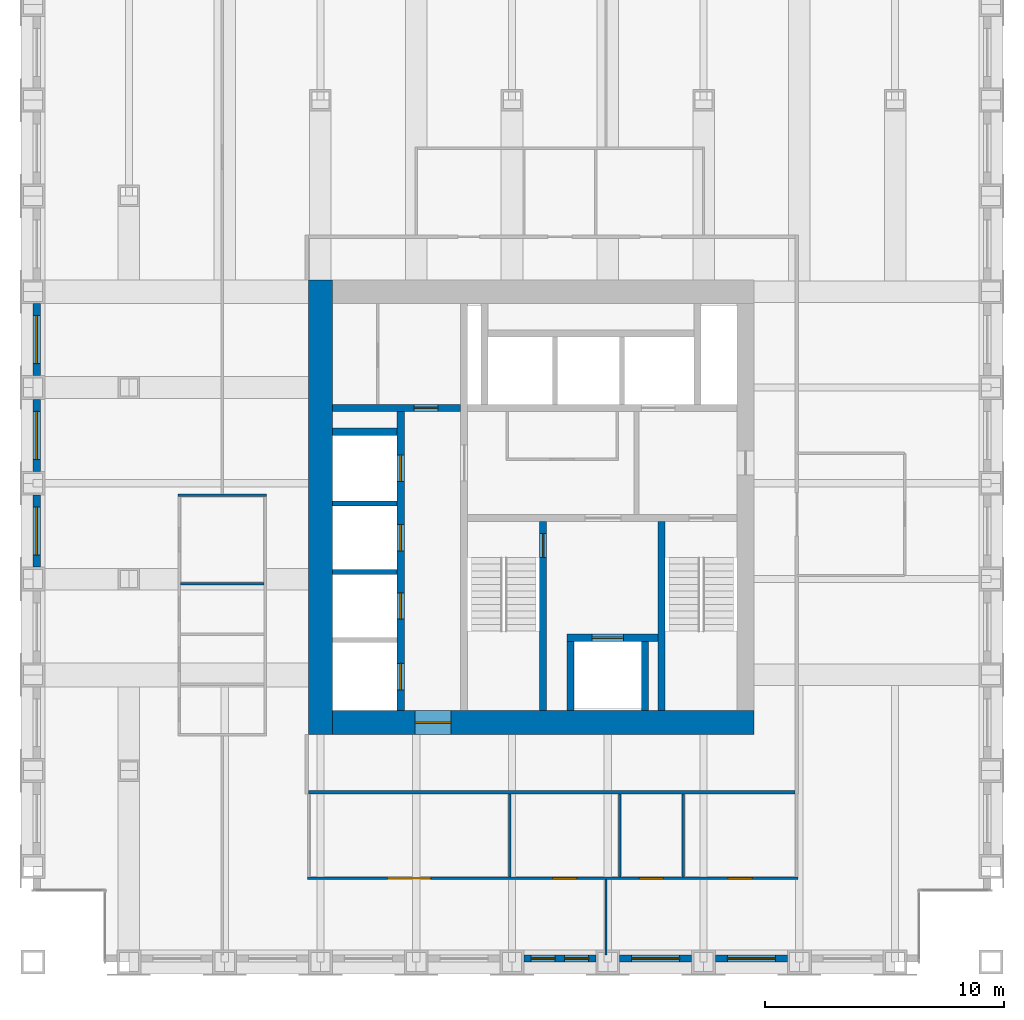
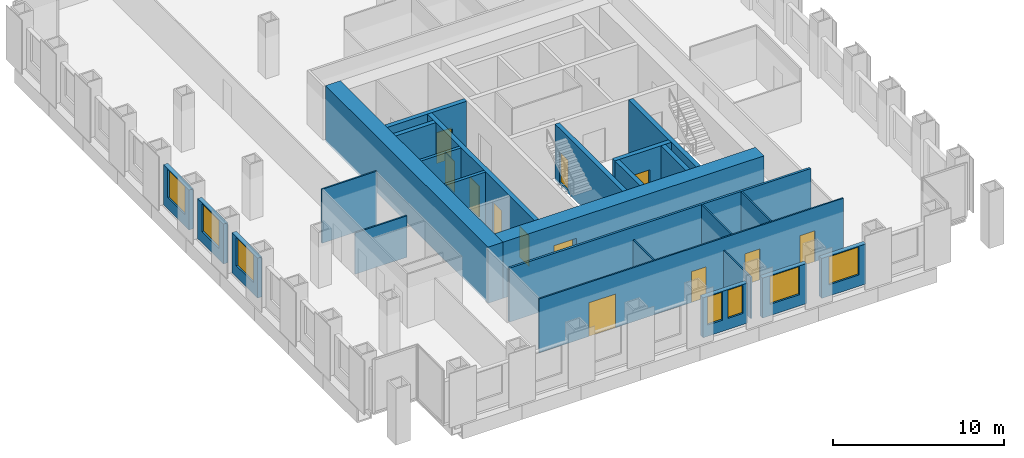
# One storey, part 9 of 13: 26 walls, 12 doors, 7 windows, 19 openings.
"""IFC4 building model written with IfcOpenShell, lengths in metres."""

from ifc_helpers import new_model, si_unit, direction, frame, frame_2d, origin, place, context, subcontext, project, spatial, rectangle, extrude, material, layer, layer_set, type_object, element, fill, save


model = new_model("IFC4")

# Units and contexts
model_context = context("Model", 3, precision=1e-05, world=origin(), true_north=direction((0.0, 1.0)))
body_context = subcontext(model_context, "Body", "Model", "MODEL_VIEW")
ifc_project = project(units=[si_unit("LENGTHUNIT", "METRE"), si_unit("AREAUNIT", "SQUARE_METRE"), si_unit("VOLUMEUNIT", "CUBIC_METRE"), si_unit("PLANEANGLEUNIT", "RADIAN"), si_unit("MASSUNIT", "GRAM", prefix="KILO")], contexts=[model_context])

# Site, building, storey
site_placement = place(None, origin())
site = spatial("IfcSite", under=ifc_project, at=site_placement, CompositionType="ELEMENT")
building_placement = place(site_placement, origin())
building = spatial("IfcBuilding", under=site, at=building_placement, Name="Rimbunsela Tower", CompositionType="ELEMENT")
storey_placement = place(building_placement, frame((0.0, 0.0, 191.800048828125)))
storey = spatial("IfcBuildingStorey", under=building, at=storey_placement, Name="L46", CompositionType="ELEMENT", Elevation=191.800048828125)

# Wall, opening, door
ifc_material_1 = material(Name="Concrete fc' 80 MPa", Category="concrete")
ifc_layer_1 = layer(ifc_material_1, 0.300048828125)
ifc_layer_set_1 = layer_set([ifc_layer_1], Name="Core internal wall 300")
wall_type_1 = type_object("IfcWallType", Name="Core internal wall 300", PredefinedType="SHEAR", material=ifc_layer_set_1)
wall_1_placement = place(storey_placement, frame((27.300048828125, 18.5, -0.150146484375), z_axis=(0.0, 0.0, 1.0), x_axis=(0.0, 1.0, 0.0)))
wall_1 = element("IfcWall", 1, at=wall_1_placement, inside=storey, type_object=wall_type_1, Name="Stair A enclosure", PredefinedType="SHEAR", context=body_context, shape_type="SweptSolid", body=[
    extrude(rectangle(XDim=7.89990234375, YDim=0.300048828125, at=frame_2d((3.949951171875, 0.0))), origin(), (0.0, 0.0, 1.0), 4.0),
])
opening_1_placement = place(wall_1_placement, frame((6.39990234375, 0.0, 0.14990234375)))
opening_1 = element("IfcOpeningElement", 2, at=opening_1_placement, cuts=wall_1, Name="Opening D01", PredefinedType="OPENING", context=body_context, shape_type="SweptSolid", body=[
    extrude(rectangle(XDim=1.0, YDim=2.199951171875, at=frame_2d((0.5, 1.10009765625))), frame((0.0, 0.159912109375, 0.0), z_axis=(0.0, -1.0, 0.0), x_axis=(1.0, 0.0, 0.0)), (0.0, 0.0, 1.0), 0.320068359375),
])
ifc_material_2 = material(Name="Steel door, fire rated", Category="steel")
door_type_1 = type_object("IfcDoorType", Name="Stair door 1000", OperationType="SINGLE_SWING_RIGHT", PredefinedType="DOOR", material=ifc_material_2)
door_1_placement = place(opening_1_placement, origin())
door_1 = element("IfcDoor", 3, at=door_1_placement, inside=storey, type_object=door_type_1, Name="Stair A door", OperationType="SINGLE_SWING_RIGHT", OverallHeight=2.199951171875, OverallWidth=1.0, PredefinedType="DOOR", context=body_context, shape_type="SweptSolid", body=[
    extrude(rectangle(XDim=1.0, YDim=2.199951171875, at=frame_2d((0.5, 1.10009765625))), frame((0.0, 0.02490234375, 0.0), z_axis=(0.0, -1.0, 0.0), x_axis=(1.0, 0.0, 0.0)), (0.0, 0.0, 1.0), 0.050048828125),
])
fill(opening_1, door_1)

# Walls
wall_2_placement = place(storey_placement, frame((32.25, 18.5, -0.150146484375), z_axis=(0.0, 0.0, 1.0), x_axis=(0.0, 1.0, 0.0)))
element("IfcWall", 4, at=wall_2_placement, inside=storey, type_object=wall_type_1, Name="Stair B enclosure", PredefinedType="SHEAR", context=body_context, shape_type="SweptSolid", body=[
    extrude(rectangle(XDim=7.89990234375, YDim=0.300048828125, at=frame_2d((3.949951171875, 0.0))), origin(), (0.0, 0.0, 1.0), 4.0),
])
for number, where, z_axis, x_axis, name in (
    (5, (28.449951171875, 18.5, -0.150146484375), (0.0, 0.0, 1.0), (0.0, 1.0, 0.0), "Firefighting lift shaft west"),
    (6, (31.550048828125, 18.5, -0.150146484375), (0.0, 0.0, 1.0), (0.0, 1.0, 0.0), "Firefighting lift shaft east"),
):
    element("IfcWall", number, at=place(storey_placement, frame(where, z_axis=z_axis, x_axis=x_axis)), inside=storey, type_object=wall_type_1, Name=name, PredefinedType="SHEAR", context=body_context, shape_type="SweptSolid", body=[
        extrude(rectangle(XDim=2.89990234375, YDim=0.300048828125, at=frame_2d((1.449951171875, 0.0))), origin(), (0.0, 0.0, 1.0), 4.0),
    ])

# Wall, opening, door
wall_3_placement = place(storey_placement, frame((28.300048828125, 21.550048828125, -0.150146484375), z_axis=(0.0, 0.0, 1.0), x_axis=(1.0, 0.0, 0.0)))
wall_3 = element("IfcWall", 7, at=wall_3_placement, inside=storey, type_object=wall_type_1, Name="Firefighting lift shaft front", PredefinedType="SHEAR", context=body_context, shape_type="SweptSolid", body=[
    extrude(rectangle(XDim=3.800048828125, YDim=0.300048828125, at=frame_2d((1.89990234375, 0.0))), origin(), (0.0, 0.0, 1.0), 4.0),
])
opening_2_placement = place(wall_3_placement, frame((1.050048828125, 0.0, 0.14990234375)))
opening_2 = element("IfcOpeningElement", 8, at=opening_2_placement, cuts=wall_3, Name="Opening LD2", PredefinedType="OPENING", context=body_context, shape_type="SweptSolid", body=[
    extrude(rectangle(XDim=1.300048828125, YDim=2.39990234375, at=frame_2d((0.64990234375, 1.199951171875))), frame((0.0, 0.159912109375, 0.0), z_axis=(0.0, -1.0, 0.0), x_axis=(1.0, 0.0, 0.0)), (0.0, 0.0, 1.0), 0.320068359375),
])
ifc_material_3 = material(Name="Steel door, fire rated", Category="steel")
door_type_2 = type_object("IfcDoorType", Name="Lift landing door 1300", OperationType="DOUBLE_DOOR_SLIDING", PredefinedType="DOOR", material=ifc_material_3)
door_2_placement = place(opening_2_placement, origin())
door_2 = element("IfcDoor", 9, at=door_2_placement, inside=storey, type_object=door_type_2, Name="Lift landing door FL1", OperationType="DOUBLE_DOOR_SLIDING", OverallHeight=2.39990234375, OverallWidth=1.300048828125, PredefinedType="DOOR", context=body_context, shape_type="SweptSolid", body=[
    extrude(rectangle(XDim=1.300048828125, YDim=2.39990234375, at=frame_2d((0.64990234375, 1.199951171875))), frame((0.0, 0.02490234375, 0.0), z_axis=(0.0, -1.0, 0.0), x_axis=(1.0, 0.0, 0.0)), (0.0, 0.0, 1.0), 0.050048828125),
])
fill(opening_2, door_2)

# Wall, openings, doors
wall_4_placement = place(storey_placement, frame((21.35009765625, 18.5, -0.150146484375), z_axis=(0.0, 0.0, 1.0), x_axis=(0.0, 1.0, 0.0)))
wall_4 = element("IfcWall", 10, at=wall_4_placement, inside=storey, type_object=wall_type_1, Name="Lift shaft front west", PredefinedType="SHEAR", context=body_context, shape_type="SweptSolid", body=[
    extrude(rectangle(XDim=12.5, YDim=0.300048828125, at=frame_2d((6.25, 0.0))), origin(), (0.0, 0.0, 1.0), 4.0),
])
opening_3_placement = place(wall_4_placement, frame((0.875, 0.0, 0.14990234375)))
opening_3 = element("IfcOpeningElement", 11, at=opening_3_placement, cuts=wall_4, Name="Opening LD1", PredefinedType="OPENING", context=body_context, shape_type="SweptSolid", body=[
    extrude(rectangle(XDim=1.10009765625, YDim=2.199951171875, at=frame_2d((0.550048828125, 1.10009765625))), frame((0.0, 0.159912109375, 0.0), z_axis=(0.0, -1.0, 0.0), x_axis=(1.0, 0.0, 0.0)), (0.0, 0.0, 1.0), 0.320068359375),
])
opening_4_placement = place(wall_4_placement, frame((3.824951171875, 0.0, 0.14990234375)))
opening_4 = element("IfcOpeningElement", 12, at=opening_4_placement, cuts=wall_4, Name="Opening LD1", PredefinedType="OPENING", context=body_context, shape_type="SweptSolid", body=[
    extrude(rectangle(XDim=1.10009765625, YDim=2.199951171875, at=frame_2d((0.550048828125, 1.10009765625))), frame((0.0, 0.159912109375, 0.0), z_axis=(0.0, -1.0, 0.0), x_axis=(1.0, 0.0, 0.0)), (0.0, 0.0, 1.0), 0.320068359375),
])
opening_5_placement = place(wall_4_placement, frame((6.675048828125, 0.0, 0.14990234375)))
opening_5 = element("IfcOpeningElement", 13, at=opening_5_placement, cuts=wall_4, Name="Opening LD1", PredefinedType="OPENING", context=body_context, shape_type="SweptSolid", body=[
    extrude(rectangle(XDim=1.10009765625, YDim=2.199951171875, at=frame_2d((0.550048828125, 1.10009765625))), frame((0.0, 0.159912109375, 0.0), z_axis=(0.0, -1.0, 0.0), x_axis=(1.0, 0.0, 0.0)), (0.0, 0.0, 1.0), 0.320068359375),
])
opening_6_placement = place(wall_4_placement, frame((9.574951171875, 0.0, 0.14990234375)))
opening_6 = element("IfcOpeningElement", 14, at=opening_6_placement, cuts=wall_4, Name="Opening LD1", PredefinedType="OPENING", context=body_context, shape_type="SweptSolid", body=[
    extrude(rectangle(XDim=1.10009765625, YDim=2.199951171875, at=frame_2d((0.550048828125, 1.10009765625))), frame((0.0, 0.159912109375, 0.0), z_axis=(0.0, -1.0, 0.0), x_axis=(1.0, 0.0, 0.0)), (0.0, 0.0, 1.0), 0.320068359375),
])
ifc_material_4 = material(Name="Steel door, fire rated", Category="steel")
door_type_3 = type_object("IfcDoorType", Name="Lift landing door 1100", OperationType="DOUBLE_DOOR_SLIDING", PredefinedType="DOOR", material=ifc_material_4)
door_3_placement = place(opening_3_placement, origin())
door_3 = element("IfcDoor", 15, at=door_3_placement, inside=storey, type_object=door_type_3, Name="Lift landing door HL1", OperationType="DOUBLE_DOOR_SLIDING", OverallHeight=2.199951171875, OverallWidth=1.10009765625, PredefinedType="DOOR", context=body_context, shape_type="SweptSolid", body=[
    extrude(rectangle(XDim=1.10009765625, YDim=2.199951171875, at=frame_2d((0.550048828125, 1.10009765625))), frame((0.0, 0.02490234375, 0.0), z_axis=(0.0, -1.0, 0.0), x_axis=(1.0, 0.0, 0.0)), (0.0, 0.0, 1.0), 0.050048828125),
])
fill(opening_3, door_3)
door_4_placement = place(opening_4_placement, origin())
door_4 = element("IfcDoor", 16, at=door_4_placement, inside=storey, type_object=door_type_3, Name="Lift landing door HL2", OperationType="DOUBLE_DOOR_SLIDING", OverallHeight=2.199951171875, OverallWidth=1.10009765625, PredefinedType="DOOR", context=body_context, shape_type="SweptSolid", body=[
    extrude(rectangle(XDim=1.10009765625, YDim=2.199951171875, at=frame_2d((0.550048828125, 1.10009765625))), frame((0.0, 0.02490234375, 0.0), z_axis=(0.0, -1.0, 0.0), x_axis=(1.0, 0.0, 0.0)), (0.0, 0.0, 1.0), 0.050048828125),
])
fill(opening_4, door_4)
door_5_placement = place(opening_5_placement, origin())
door_5 = element("IfcDoor", 17, at=door_5_placement, inside=storey, type_object=door_type_3, Name="Lift landing door HL3", OperationType="DOUBLE_DOOR_SLIDING", OverallHeight=2.199951171875, OverallWidth=1.10009765625, PredefinedType="DOOR", context=body_context, shape_type="SweptSolid", body=[
    extrude(rectangle(XDim=1.10009765625, YDim=2.199951171875, at=frame_2d((0.550048828125, 1.10009765625))), frame((0.0, 0.02490234375, 0.0), z_axis=(0.0, -1.0, 0.0), x_axis=(1.0, 0.0, 0.0)), (0.0, 0.0, 1.0), 0.050048828125),
])
fill(opening_5, door_5)
door_6_placement = place(opening_6_placement, origin())
door_6 = element("IfcDoor", 18, at=door_6_placement, inside=storey, type_object=door_type_3, Name="Lift landing door HL4", OperationType="DOUBLE_DOOR_SLIDING", OverallHeight=2.199951171875, OverallWidth=1.10009765625, PredefinedType="DOOR", context=body_context, shape_type="SweptSolid", body=[
    extrude(rectangle(XDim=1.10009765625, YDim=2.199951171875, at=frame_2d((0.550048828125, 1.10009765625))), frame((0.0, 0.02490234375, 0.0), z_axis=(0.0, -1.0, 0.0), x_axis=(1.0, 0.0, 0.0)), (0.0, 0.0, 1.0), 0.050048828125),
])
fill(opening_6, door_6)

# Wall, opening, door
wall_5_placement = place(storey_placement, frame((18.5, 31.14990234375, -0.150146484375), z_axis=(0.0, 0.0, 1.0), x_axis=(1.0, 0.0, 0.0)))
wall_5 = element("IfcWall", 19, at=wall_5_placement, inside=storey, type_object=wall_type_1, Name="Store wall", PredefinedType="SHEAR", context=body_context, shape_type="SweptSolid", body=[
    extrude(rectangle(XDim=5.35009765625, YDim=0.300048828125, at=frame_2d((2.675048828125, 0.0))), origin(), (0.0, 0.0, 1.0), 4.0),
])
opening_7_placement = place(wall_5_placement, frame((3.39990234375, 0.0, 0.14990234375)))
opening_7 = element("IfcOpeningElement", 20, at=opening_7_placement, cuts=wall_5, Name="Opening D19", PredefinedType="OPENING", context=body_context, shape_type="SweptSolid", body=[
    extrude(rectangle(XDim=1.0, YDim=2.199951171875, at=frame_2d((0.5, 1.10009765625))), frame((0.0, 0.159912109375, 0.0), z_axis=(0.0, -1.0, 0.0), x_axis=(1.0, 0.0, 0.0)), (0.0, 0.0, 1.0), 0.320068359375),
])
ifc_material_5 = material(Name="Steel door, fire rated", Category="steel")
door_type_4 = type_object("IfcDoorType", Name="Service door 1000 fire rated", OperationType="SINGLE_SWING_LEFT", PredefinedType="DOOR", material=ifc_material_5)
door_7_placement = place(opening_7_placement, origin())
door_7 = element("IfcDoor", 21, at=door_7_placement, inside=storey, type_object=door_type_4, Name="Facilities store door", OperationType="SINGLE_SWING_LEFT", OverallHeight=2.199951171875, OverallWidth=1.0, PredefinedType="DOOR", context=body_context, shape_type="SweptSolid", body=[
    extrude(rectangle(XDim=1.0, YDim=2.199951171875, at=frame_2d((0.5, 1.10009765625))), frame((0.0, 0.02490234375, 0.0), z_axis=(0.0, -1.0, 0.0), x_axis=(1.0, 0.0, 0.0)), (0.0, 0.0, 1.0), 0.050048828125),
])
fill(opening_7, door_7)

# Walls
wall_6_placement = place(storey_placement, frame((18.5, 30.14990234375, -0.150146484375), z_axis=(0.0, 0.0, 1.0), x_axis=(1.0, 0.0, 0.0)))
element("IfcWall", 22, at=wall_6_placement, inside=storey, type_object=wall_type_1, Name="Lift shaft rear west", PredefinedType="SHEAR", context=body_context, shape_type="SweptSolid", body=[
    extrude(rectangle(XDim=2.699951171875, YDim=0.300048828125, at=frame_2d((1.35009765625, 0.0))), origin(), (0.0, 0.0, 1.0), 4.0),
])
ifc_material_6 = material(Name="Concrete fc' 80 MPa", Category="concrete")
ifc_layer_2 = layer(ifc_material_6, 1.0)
ifc_layer_set_2 = layer_set([ifc_layer_2], Name="Core wall 1000")
wall_type_2 = type_object("IfcWallType", Name="Core wall 1000", PredefinedType="SHEAR", material=ifc_layer_set_2)
wall_7_placement = place(storey_placement, frame((18.0, 17.5, -0.150146484375), z_axis=(0.0, 0.0, 1.0), x_axis=(0.0, 1.0, 0.0)))
element("IfcWall", 23, at=wall_7_placement, inside=storey, type_object=wall_type_2, Name="Core wall west", PredefinedType="SHEAR", context=body_context, shape_type="SweptSolid", body=[
    extrude(rectangle(XDim=19.0, YDim=1.0, at=frame_2d((9.5, 0.0))), origin(), (0.0, 0.0, 1.0), 4.0),
])

# Wall, opening, door
wall_8_placement = place(storey_placement, frame((18.5, 18.0, -0.150146484375), z_axis=(0.0, 0.0, 1.0), x_axis=(1.0, 0.0, 0.0)))
wall_8 = element("IfcWall", 24, at=wall_8_placement, inside=storey, type_object=wall_type_2, Name="Core wall south", PredefinedType="SHEAR", context=body_context, shape_type="SweptSolid", body=[
    extrude(rectangle(XDim=17.60009765625, YDim=1.0, at=frame_2d((8.800048828125, 0.0))), origin(), (0.0, 0.0, 1.0), 4.0),
])
opening_8_placement = place(wall_8_placement, frame((3.449951171875, 0.0, 0.14990234375)))
opening_8 = element("IfcOpeningElement", 25, at=opening_8_placement, cuts=wall_8, Name="Opening D03", PredefinedType="OPENING", context=body_context, shape_type="SweptSolid", body=[
    extrude(rectangle(XDim=1.5, YDim=2.39990234375, at=frame_2d((0.75, 1.199951171875))), frame((0.0, 0.510009765625, 0.0), z_axis=(0.0, -1.0, 0.0), x_axis=(1.0, 0.0, 0.0)), (0.0, 0.0, 1.0), 1.02001953125),
])
ifc_material_7 = material(Name="Steel door, fire rated", Category="steel")
door_type_5 = type_object("IfcDoorType", Name="Core lobby door 1500", OperationType="DOUBLE_DOOR_DOUBLE_SWING", PredefinedType="DOOR", material=ifc_material_7)
door_8_placement = place(opening_8_placement, origin())
door_8 = element("IfcDoor", 26, at=door_8_placement, inside=storey, type_object=door_type_5, Name="Core door south", OperationType="DOUBLE_DOOR_DOUBLE_SWING", OverallHeight=2.39990234375, OverallWidth=1.5, PredefinedType="DOOR", context=body_context, shape_type="SweptSolid", body=[
    extrude(rectangle(XDim=1.5, YDim=2.39990234375, at=frame_2d((0.75, 1.199951171875))), frame((0.0, 0.02490234375, 0.0), z_axis=(0.0, -1.0, 0.0), x_axis=(1.0, 0.0, 0.0)), (0.0, 0.0, 1.0), 0.050048828125),
])
fill(opening_8, door_8)

# Walls
ifc_material_8 = material(Name="Concrete blockwork", Category="masonry")
ifc_layer_3 = layer(ifc_material_8, 0.199951171875)
ifc_layer_set_3 = layer_set([ifc_layer_3], Name="Lift shaft wall 200")
wall_type_3 = type_object("IfcWallType", Name="Lift shaft wall 200", PredefinedType="SOLIDWALL", material=ifc_layer_set_3)
for number, where, z_axis, x_axis, name in (
    (27, (18.5, 24.300048828125, -0.150146484375), (0.0, 0.0, 1.0), (1.0, 0.0, 0.0), "Lift shaft separation"),
    (28, (18.5, 27.14990234375, -0.150146484375), (0.0, 0.0, 1.0), (1.0, 0.0, 0.0), "Lift shaft separation"),
):
    element("IfcWall", number, at=place(storey_placement, frame(where, z_axis=z_axis, x_axis=x_axis)), inside=storey, type_object=wall_type_3, Name=name, PredefinedType="SOLIDWALL", context=body_context, shape_type="SweptSolid", body=[
        extrude(rectangle(XDim=2.699951171875, YDim=0.199951171875, at=frame_2d((1.35009765625, 0.0))), origin(), (0.0, 0.0, 1.0), 4.0),
    ])

# Wall, openings, doors
ifc_material_9 = material(Name="Gypsum board on steel studs", Category="steel")
ifc_layer_4 = layer(ifc_material_9, 0.10009765625)
ifc_layer_set_4 = layer_set([ifc_layer_4], Name="Office partition 100")
wall_type_4 = type_object("IfcWallType", Name="Office partition 100", PredefinedType="PARTITIONING", material=ifc_layer_set_4)
wall_9_placement = place(storey_placement, frame((17.449951171875, 11.5, 0.0), z_axis=(0.0, 0.0, 1.0), x_axis=(1.0, 0.0, 0.0)))
wall_9 = element("IfcWall", 29, at=wall_9_placement, inside=storey, type_object=wall_type_4, Name="Office partition", PredefinedType="PARTITIONING", context=body_context, shape_type="SweptSolid", body=[
    extrude(rectangle(XDim=20.5, YDim=0.10009765625, at=frame_2d((10.25, 0.0))), origin(), (0.0, 0.0, 1.0), 3.849853515625),
])
opening_9_placement = place(wall_9_placement, frame((3.35009765625, 0.0, 0.0)))
opening_9 = element("IfcOpeningElement", 30, at=opening_9_placement, cuts=wall_9, Name="Opening D18", PredefinedType="OPENING", context=body_context, shape_type="SweptSolid", body=[
    extrude(rectangle(XDim=1.800048828125, YDim=2.39990234375, at=frame_2d((0.89990234375, 1.199951171875))), frame((0.0, 0.06005859375, 0.0), z_axis=(0.0, -1.0, 0.0), x_axis=(1.0, 0.0, 0.0)), (0.0, 0.0, 1.0), 0.1201171875),
])
opening_10_placement = place(wall_9_placement, frame((10.25, 0.0, 0.0)))
opening_10 = element("IfcOpeningElement", 31, at=opening_10_placement, cuts=wall_9, Name="Opening D16", PredefinedType="OPENING", context=body_context, shape_type="SweptSolid", body=[
    extrude(rectangle(XDim=1.0, YDim=2.199951171875, at=frame_2d((0.5, 1.10009765625))), frame((0.0, 0.06005859375, 0.0), z_axis=(0.0, -1.0, 0.0), x_axis=(1.0, 0.0, 0.0)), (0.0, 0.0, 1.0), 0.1201171875),
])
opening_11_placement = place(wall_9_placement, frame((13.875, 0.0, 0.0)))
opening_11 = element("IfcOpeningElement", 32, at=opening_11_placement, cuts=wall_9, Name="Opening D16", PredefinedType="OPENING", context=body_context, shape_type="SweptSolid", body=[
    extrude(rectangle(XDim=1.0, YDim=2.199951171875, at=frame_2d((0.5, 1.10009765625))), frame((0.0, 0.06005859375, 0.0), z_axis=(0.0, -1.0, 0.0), x_axis=(1.0, 0.0, 0.0)), (0.0, 0.0, 1.0), 0.1201171875),
])
opening_12_placement = place(wall_9_placement, frame((17.574951171875, 0.0, 0.0)))
opening_12 = element("IfcOpeningElement", 33, at=opening_12_placement, cuts=wall_9, Name="Opening D16", PredefinedType="OPENING", context=body_context, shape_type="SweptSolid", body=[
    extrude(rectangle(XDim=1.0, YDim=2.199951171875, at=frame_2d((0.5, 1.10009765625))), frame((0.0, 0.06005859375, 0.0), z_axis=(0.0, -1.0, 0.0), x_axis=(1.0, 0.0, 0.0)), (0.0, 0.0, 1.0), 0.1201171875),
])
ifc_material_10 = material(Name="Glazed aluminium door", Category="aluminium")
door_type_6 = type_object("IfcDoorType", Name="Boardroom door 1800 glazed", OperationType="DOUBLE_DOOR_DOUBLE_SWING", PredefinedType="DOOR", material=ifc_material_10)
door_9_placement = place(opening_9_placement, origin())
door_9 = element("IfcDoor", 34, at=door_9_placement, inside=storey, type_object=door_type_6, Name="Boardroom door", OperationType="DOUBLE_DOOR_DOUBLE_SWING", OverallHeight=2.39990234375, OverallWidth=1.800048828125, PredefinedType="DOOR", context=body_context, shape_type="SweptSolid", body=[
    extrude(rectangle(XDim=1.800048828125, YDim=2.39990234375, at=frame_2d((0.89990234375, 1.199951171875))), frame((0.0, 0.02490234375, 0.0), z_axis=(0.0, -1.0, 0.0), x_axis=(1.0, 0.0, 0.0)), (0.0, 0.0, 1.0), 0.050048828125),
])
fill(opening_9, door_9)
ifc_material_11 = material(Name="Timber door", Category="wood")
door_type_7 = type_object("IfcDoorType", Name="Office door 1000", OperationType="SINGLE_SWING_LEFT", PredefinedType="DOOR", material=ifc_material_11)
door_10_placement = place(opening_10_placement, origin())
door_10 = element("IfcDoor", 35, at=door_10_placement, inside=storey, type_object=door_type_7, Name="Office door", OperationType="SINGLE_SWING_LEFT", OverallHeight=2.199951171875, OverallWidth=1.0, PredefinedType="DOOR", context=body_context, shape_type="SweptSolid", body=[
    extrude(rectangle(XDim=1.0, YDim=2.199951171875, at=frame_2d((0.5, 1.10009765625))), frame((0.0, 0.02490234375, 0.0), z_axis=(0.0, -1.0, 0.0), x_axis=(1.0, 0.0, 0.0)), (0.0, 0.0, 1.0), 0.050048828125),
])
fill(opening_10, door_10)
door_11_placement = place(opening_11_placement, origin())
door_11 = element("IfcDoor", 36, at=door_11_placement, inside=storey, type_object=door_type_7, Name="Office door", OperationType="SINGLE_SWING_LEFT", OverallHeight=2.199951171875, OverallWidth=1.0, PredefinedType="DOOR", context=body_context, shape_type="SweptSolid", body=[
    extrude(rectangle(XDim=1.0, YDim=2.199951171875, at=frame_2d((0.5, 1.10009765625))), frame((0.0, 0.02490234375, 0.0), z_axis=(0.0, -1.0, 0.0), x_axis=(1.0, 0.0, 0.0)), (0.0, 0.0, 1.0), 0.050048828125),
])
fill(opening_11, door_11)
door_12_placement = place(opening_12_placement, origin())
door_12 = element("IfcDoor", 37, at=door_12_placement, inside=storey, type_object=door_type_7, Name="Office door", OperationType="SINGLE_SWING_LEFT", OverallHeight=2.199951171875, OverallWidth=1.0, PredefinedType="DOOR", context=body_context, shape_type="SweptSolid", body=[
    extrude(rectangle(XDim=1.0, YDim=2.199951171875, at=frame_2d((0.5, 1.10009765625))), frame((0.0, 0.02490234375, 0.0), z_axis=(0.0, -1.0, 0.0), x_axis=(1.0, 0.0, 0.0)), (0.0, 0.0, 1.0), 0.050048828125),
])
fill(opening_12, door_12)

# Walls
wall_10_placement = place(storey_placement, frame((12.14990234375, 23.800048828125, 0.0), z_axis=(0.0, 0.0, 1.0), x_axis=(1.0, 0.0, 0.0)))
element("IfcWall", 38, at=wall_10_placement, inside=storey, type_object=wall_type_4, Name="Office partition", PredefinedType="PARTITIONING", context=body_context, shape_type="SweptSolid", body=[
    extrude(rectangle(XDim=3.5, YDim=0.10009765625, at=frame_2d((1.75, 0.0))), origin(), (0.0, 0.0, 1.0), 2.949951171875),
])
wall_11_placement = place(storey_placement, frame((12.050048828125, 27.5, 0.0), z_axis=(0.0, 0.0, 1.0), x_axis=(1.0, 0.0, 0.0)))
element("IfcWall", 39, at=wall_11_placement, inside=storey, type_object=wall_type_4, Name="Office partition", PredefinedType="PARTITIONING", context=body_context, shape_type="SweptSolid", body=[
    extrude(rectangle(XDim=3.699951171875, YDim=0.10009765625, at=frame_2d((1.85009765625, 0.0))), origin(), (0.0, 0.0, 1.0), 3.849853515625),
])
wall_12_placement = place(storey_placement, frame((25.89990234375, 11.550048828125, 0.0), z_axis=(0.0, 0.0, 1.0), x_axis=(0.0, 1.0, 0.0)))
element("IfcWall", 40, at=wall_12_placement, inside=storey, type_object=wall_type_4, Name="Office partition", PredefinedType="PARTITIONING", context=body_context, shape_type="SweptSolid", body=[
    extrude(rectangle(XDim=3.474853515625, YDim=0.10009765625, at=frame_2d((1.7373046875, 0.0))), origin(), (0.0, 0.0, 1.0), 2.949951171875),
])
for number, where, z_axis, x_axis, name in (
    (41, (30.5, 11.550048828125, 0.0), (0.0, 0.0, 1.0), (0.0, 1.0, 0.0), "Office partition"),
    (42, (33.14990234375, 11.550048828125, 0.0), (0.0, 0.0, 1.0), (0.0, 1.0, 0.0), "Office partition"),
):
    element("IfcWall", number, at=place(storey_placement, frame(where, z_axis=z_axis, x_axis=x_axis)), inside=storey, type_object=wall_type_4, Name=name, PredefinedType="PARTITIONING", context=body_context, shape_type="SweptSolid", body=[
        extrude(rectangle(XDim=3.474853515625, YDim=0.10009765625, at=frame_2d((1.7373046875, 0.0))), origin(), (0.0, 0.0, 1.0), 3.849853515625),
    ])
wall_13_placement = place(storey_placement, frame((29.925048828125, 11.449951171875, 0.0), z_axis=(0.0, 0.0, 1.0), x_axis=(0.0, -1.0, 0.0)))
element("IfcWall", 43, at=wall_13_placement, inside=storey, type_object=wall_type_4, Name="Office partition", PredefinedType="PARTITIONING", context=body_context, shape_type="SweptSolid", body=[
    extrude(rectangle(XDim=3.14990234375, YDim=0.10009765625, at=frame_2d((1.574951171875, 0.0))), origin(), (0.0, 0.0, 1.0), 2.949951171875),
])

# Wall, openings, windows
ifc_material_12 = material(Name="Precast concrete fc' 35 MPa", Category="concrete")
ifc_layer_5 = layer(ifc_material_12, 0.300048828125)
ifc_layer_set_5 = layer_set([ifc_layer_5], Name="Precast concrete fc' 35 MPa")
wall_type_5 = type_object("IfcWallType", Name="Precast facade panel 300", PredefinedType="ELEMENTEDWALL", material=ifc_layer_set_5)
wall_14_placement = place(storey_placement, frame((26.5, 8.14990234375, 0.0), z_axis=(0.0, 0.0, 1.0), x_axis=(1.0, 0.0, 0.0)))
wall_14 = element("IfcWall", 44, at=wall_14_placement, inside=storey, type_object=wall_type_5, Name="Facade panel S L46", PredefinedType="ELEMENTEDWALL", context=body_context, shape_type="SweptSolid", body=[
    extrude(rectangle(XDim=3.0, YDim=0.300048828125, at=frame_2d((1.5, 0.0))), origin(), (0.0, 0.0, 1.0), 2.849853515625),
])
opening_13_placement = place(wall_14_placement, frame((0.300048828125, 0.0, 0.800048828125)))
opening_13 = element("IfcOpeningElement", 45, at=opening_13_placement, cuts=wall_14, Name="Opening W5", PredefinedType="OPENING", context=body_context, shape_type="SweptSolid", body=[
    extrude(rectangle(XDim=1.0, YDim=2.0, at=frame_2d((0.5, 1.0))), frame((0.0, 0.159912109375, 0.0), z_axis=(0.0, -1.0, 0.0), x_axis=(1.0, 0.0, 0.0)), (0.0, 0.0, 1.0), 0.320068359375),
])
opening_14_placement = place(wall_14_placement, frame((1.699951171875, 0.0, 0.800048828125)))
opening_14 = element("IfcOpeningElement", 46, at=opening_14_placement, cuts=wall_14, Name="Opening W5", PredefinedType="OPENING", context=body_context, shape_type="SweptSolid", body=[
    extrude(rectangle(XDim=1.0, YDim=2.0, at=frame_2d((0.5, 1.0))), frame((0.0, 0.159912109375, 0.0), z_axis=(0.0, -1.0, 0.0), x_axis=(1.0, 0.0, 0.0)), (0.0, 0.0, 1.0), 0.320068359375),
])
ifc_material_13 = material(Name="Clear glass in aluminium frame", Category="aluminium")
window_type_1 = type_object("IfcWindowType", Name="Window W5 1000x2000", PartitioningType="SINGLE_PANEL", PredefinedType="WINDOW", material=ifc_material_13)
window_1_placement = place(opening_13_placement, origin())
window_1 = element("IfcWindow", 47, at=window_1_placement, inside=storey, type_object=window_type_1, Name="Window L46", OverallHeight=2.0, OverallWidth=1.0, PartitioningType="SINGLE_PANEL", PredefinedType="WINDOW", context=body_context, shape_type="SweptSolid", body=[
    extrude(rectangle(XDim=1.0, YDim=2.0, at=frame_2d((0.5, 1.0))), frame((0.0, 0.030029296875, 0.0), z_axis=(0.0, -1.0, 0.0), x_axis=(1.0, 0.0, 0.0)), (0.0, 0.0, 1.0), 0.06005859375),
])
fill(opening_13, window_1)
window_2_placement = place(opening_14_placement, origin())
window_2 = element("IfcWindow", 48, at=window_2_placement, inside=storey, type_object=window_type_1, Name="Window L46", OverallHeight=2.0, OverallWidth=1.0, PartitioningType="SINGLE_PANEL", PredefinedType="WINDOW", context=body_context, shape_type="SweptSolid", body=[
    extrude(rectangle(XDim=1.0, YDim=2.0, at=frame_2d((0.5, 1.0))), frame((0.0, 0.030029296875, 0.0), z_axis=(0.0, -1.0, 0.0), x_axis=(1.0, 0.0, 0.0)), (0.0, 0.0, 1.0), 0.06005859375),
])
fill(opening_14, window_2)

# Wall, opening, window
wall_15_placement = place(storey_placement, frame((30.5, 8.14990234375, 0.0), z_axis=(0.0, 0.0, 1.0), x_axis=(1.0, 0.0, 0.0)))
wall_15 = element("IfcWall", 49, at=wall_15_placement, inside=storey, type_object=wall_type_5, Name="Facade panel S L46", PredefinedType="ELEMENTEDWALL", context=body_context, shape_type="SweptSolid", body=[
    extrude(rectangle(XDim=3.0, YDim=0.300048828125, at=frame_2d((1.5, 0.0))), origin(), (0.0, 0.0, 1.0), 2.849853515625),
])
opening_15_placement = place(wall_15_placement, frame((0.5, 0.0, 0.800048828125)))
opening_15 = element("IfcOpeningElement", 50, at=opening_15_placement, cuts=wall_15, Name="Opening W1", PredefinedType="OPENING", context=body_context, shape_type="SweptSolid", body=[
    extrude(rectangle(XDim=2.0, YDim=2.0, at=frame_2d((1.0, 1.0))), frame((0.0, 0.159912109375, 0.0), z_axis=(0.0, -1.0, 0.0), x_axis=(1.0, 0.0, 0.0)), (0.0, 0.0, 1.0), 0.320068359375),
])
ifc_material_14 = material(Name="Clear glass in aluminium frame", Category="aluminium")
window_type_2 = type_object("IfcWindowType", Name="Window W1 2000x2000", PartitioningType="DOUBLE_PANEL_VERTICAL", PredefinedType="WINDOW", material=ifc_material_14)
window_3_placement = place(opening_15_placement, origin())
window_3 = element("IfcWindow", 51, at=window_3_placement, inside=storey, type_object=window_type_2, Name="Window L46", OverallHeight=2.0, OverallWidth=2.0, PartitioningType="SINGLE_PANEL", PredefinedType="WINDOW", context=body_context, shape_type="SweptSolid", body=[
    extrude(rectangle(XDim=2.0, YDim=2.0, at=frame_2d((1.0, 1.0))), frame((0.0, 0.030029296875, 0.0), z_axis=(0.0, -1.0, 0.0), x_axis=(1.0, 0.0, 0.0)), (0.0, 0.0, 1.0), 0.06005859375),
])
fill(opening_15, window_3)

wall_16_placement = place(storey_placement, frame((34.5, 8.14990234375, 0.0), z_axis=(0.0, 0.0, 1.0), x_axis=(1.0, 0.0, 0.0)))
wall_16 = element("IfcWall", 52, at=wall_16_placement, inside=storey, type_object=wall_type_5, Name="Facade panel S L46", PredefinedType="ELEMENTEDWALL", context=body_context, shape_type="SweptSolid", body=[
    extrude(rectangle(XDim=3.0, YDim=0.300048828125, at=frame_2d((1.5, 0.0))), origin(), (0.0, 0.0, 1.0), 2.849853515625),
])
opening_16_placement = place(wall_16_placement, frame((0.5, 0.0, 0.800048828125)))
opening_16 = element("IfcOpeningElement", 53, at=opening_16_placement, cuts=wall_16, Name="Opening W1", PredefinedType="OPENING", context=body_context, shape_type="SweptSolid", body=[
    extrude(rectangle(XDim=2.0, YDim=2.0, at=frame_2d((1.0, 1.0))), frame((0.0, 0.159912109375, 0.0), z_axis=(0.0, -1.0, 0.0), x_axis=(1.0, 0.0, 0.0)), (0.0, 0.0, 1.0), 0.320068359375),
])
window_4_placement = place(opening_16_placement, origin())
window_4 = element("IfcWindow", 54, at=window_4_placement, inside=storey, type_object=window_type_2, Name="Window L46", OverallHeight=2.0, OverallWidth=2.0, PartitioningType="SINGLE_PANEL", PredefinedType="WINDOW", context=body_context, shape_type="SweptSolid", body=[
    extrude(rectangle(XDim=2.0, YDim=2.0, at=frame_2d((1.0, 1.0))), frame((0.0, 0.030029296875, 0.0), z_axis=(0.0, -1.0, 0.0), x_axis=(1.0, 0.0, 0.0)), (0.0, 0.0, 1.0), 0.06005859375),
])
fill(opening_16, window_4)

wall_17_placement = place(storey_placement, frame((6.14990234375, 27.5, 0.0), z_axis=(0.0, 0.0, 1.0), x_axis=(0.0, -1.0, 0.0)))
wall_17 = element("IfcWall", 55, at=wall_17_placement, inside=storey, type_object=wall_type_5, Name="Facade panel W L46", PredefinedType="ELEMENTEDWALL", context=body_context, shape_type="SweptSolid", body=[
    extrude(rectangle(XDim=3.0, YDim=0.300048828125, at=frame_2d((1.5, 0.0))), origin(), (0.0, 0.0, 1.0), 2.849853515625),
])
opening_17_placement = place(wall_17_placement, frame((0.5, 0.0, 0.800048828125)))
opening_17 = element("IfcOpeningElement", 56, at=opening_17_placement, cuts=wall_17, Name="Opening W1", PredefinedType="OPENING", context=body_context, shape_type="SweptSolid", body=[
    extrude(rectangle(XDim=2.0, YDim=2.0, at=frame_2d((1.0, 1.0))), frame((0.0, 0.159912109375, 0.0), z_axis=(0.0, -1.0, 0.0), x_axis=(1.0, 0.0, 0.0)), (0.0, 0.0, 1.0), 0.320068359375),
])
window_5_placement = place(opening_17_placement, origin())
window_5 = element("IfcWindow", 57, at=window_5_placement, inside=storey, type_object=window_type_2, Name="Window L46", OverallHeight=2.0, OverallWidth=2.0, PartitioningType="SINGLE_PANEL", PredefinedType="WINDOW", context=body_context, shape_type="SweptSolid", body=[
    extrude(rectangle(XDim=2.0, YDim=2.0, at=frame_2d((1.0, 1.0))), frame((0.0, 0.030029296875, 0.0), z_axis=(0.0, -1.0, 0.0), x_axis=(1.0, 0.0, 0.0)), (0.0, 0.0, 1.0), 0.06005859375),
])
fill(opening_17, window_5)

wall_18_placement = place(storey_placement, frame((6.14990234375, 31.5, 0.0), z_axis=(0.0, 0.0, 1.0), x_axis=(0.0, -1.0, 0.0)))
wall_18 = element("IfcWall", 58, at=wall_18_placement, inside=storey, type_object=wall_type_5, Name="Facade panel W L46", PredefinedType="ELEMENTEDWALL", context=body_context, shape_type="SweptSolid", body=[
    extrude(rectangle(XDim=3.0, YDim=0.300048828125, at=frame_2d((1.5, 0.0))), origin(), (0.0, 0.0, 1.0), 2.849853515625),
])
opening_18_placement = place(wall_18_placement, frame((0.5, 0.0, 0.800048828125)))
opening_18 = element("IfcOpeningElement", 59, at=opening_18_placement, cuts=wall_18, Name="Opening W1", PredefinedType="OPENING", context=body_context, shape_type="SweptSolid", body=[
    extrude(rectangle(XDim=2.0, YDim=2.0, at=frame_2d((1.0, 1.0))), frame((0.0, 0.159912109375, 0.0), z_axis=(0.0, -1.0, 0.0), x_axis=(1.0, 0.0, 0.0)), (0.0, 0.0, 1.0), 0.320068359375),
])
window_6_placement = place(opening_18_placement, origin())
window_6 = element("IfcWindow", 60, at=window_6_placement, inside=storey, type_object=window_type_2, Name="Window L46", OverallHeight=2.0, OverallWidth=2.0, PartitioningType="SINGLE_PANEL", PredefinedType="WINDOW", context=body_context, shape_type="SweptSolid", body=[
    extrude(rectangle(XDim=2.0, YDim=2.0, at=frame_2d((1.0, 1.0))), frame((0.0, 0.030029296875, 0.0), z_axis=(0.0, -1.0, 0.0), x_axis=(1.0, 0.0, 0.0)), (0.0, 0.0, 1.0), 0.06005859375),
])
fill(opening_18, window_6)

wall_19_placement = place(storey_placement, frame((6.14990234375, 35.5, 0.0), z_axis=(0.0, 0.0, 1.0), x_axis=(0.0, -1.0, 0.0)))
wall_19 = element("IfcWall", 61, at=wall_19_placement, inside=storey, type_object=wall_type_5, Name="Facade panel W L46", PredefinedType="ELEMENTEDWALL", context=body_context, shape_type="SweptSolid", body=[
    extrude(rectangle(XDim=3.0, YDim=0.300048828125, at=frame_2d((1.5, 0.0))), origin(), (0.0, 0.0, 1.0), 2.849853515625),
])
opening_19_placement = place(wall_19_placement, frame((0.5, 0.0, 0.800048828125)))
opening_19 = element("IfcOpeningElement", 62, at=opening_19_placement, cuts=wall_19, Name="Opening W1", PredefinedType="OPENING", context=body_context, shape_type="SweptSolid", body=[
    extrude(rectangle(XDim=2.0, YDim=2.0, at=frame_2d((1.0, 1.0))), frame((0.0, 0.159912109375, 0.0), z_axis=(0.0, -1.0, 0.0), x_axis=(1.0, 0.0, 0.0)), (0.0, 0.0, 1.0), 0.320068359375),
])
window_7_placement = place(opening_19_placement, origin())
window_7 = element("IfcWindow", 63, at=window_7_placement, inside=storey, type_object=window_type_2, Name="Window L46", OverallHeight=2.0, OverallWidth=2.0, PartitioningType="SINGLE_PANEL", PredefinedType="WINDOW", context=body_context, shape_type="SweptSolid", body=[
    extrude(rectangle(XDim=2.0, YDim=2.0, at=frame_2d((1.0, 1.0))), frame((0.0, 0.030029296875, 0.0), z_axis=(0.0, -1.0, 0.0), x_axis=(1.0, 0.0, 0.0)), (0.0, 0.0, 1.0), 0.06005859375),
])
fill(opening_19, window_7)

# Wall
ifc_material_15 = material(Name="Fire-rated gypsum board on steel studs, EI 60", Category="steel")
ifc_layer_6 = layer(ifc_material_15, 0.14990234375)
ifc_layer_set_6 = layer_set([ifc_layer_6], Name="Rated corridor wall 150")
wall_type_6 = type_object("IfcWallType", Name="Rated corridor wall 150", PredefinedType="PARTITIONING", material=ifc_layer_set_6)
wall_20_placement = place(storey_placement, frame((17.5, 15.10009765625, 0.0), z_axis=(0.0, 0.0, 1.0), x_axis=(1.0, 0.0, 0.0)))
element("IfcWall", 64, at=wall_20_placement, inside=storey, type_object=wall_type_6, Name="Corridor wall south", PredefinedType="PARTITIONING", context=body_context, shape_type="SweptSolid", body=[
    extrude(rectangle(XDim=20.324951171875, YDim=0.14990234375, at=frame_2d((10.16259765625, 0.0))), origin(), (0.0, 0.0, 1.0), 3.849853515625),
])

save(model, "model.ifc")
